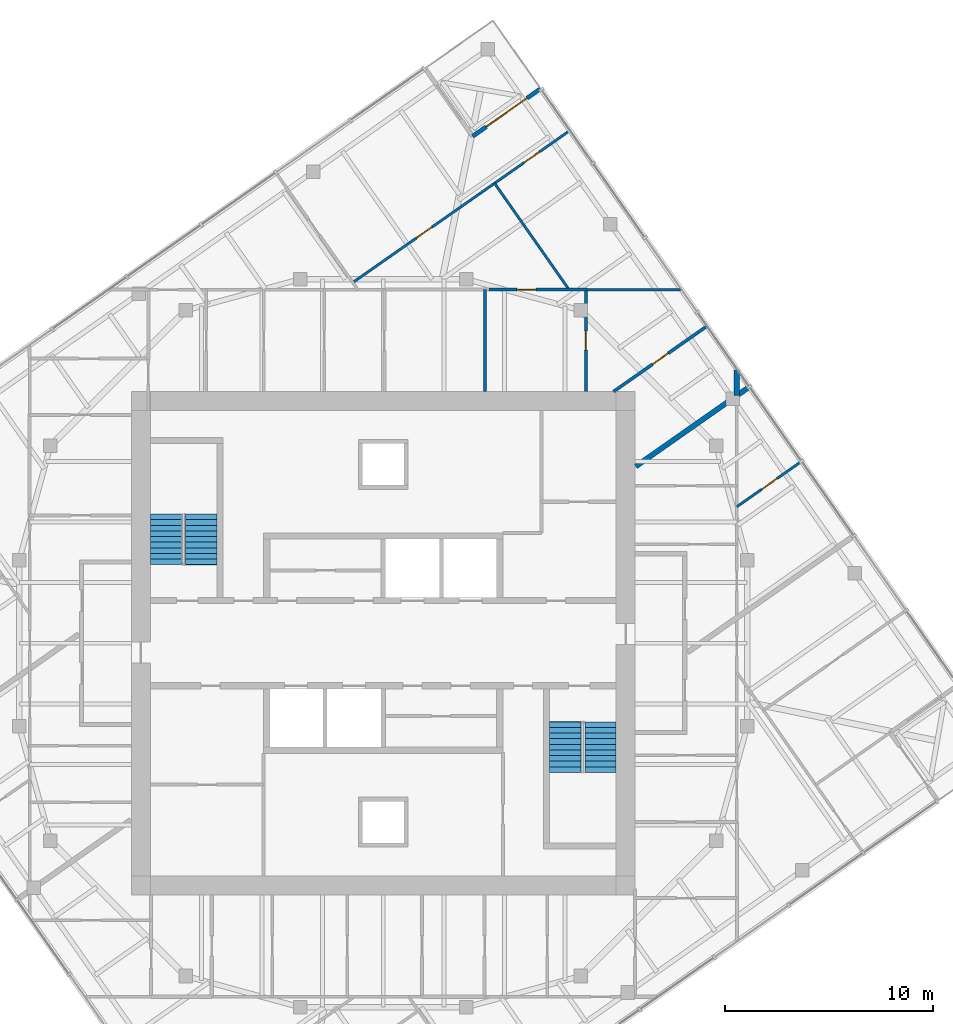
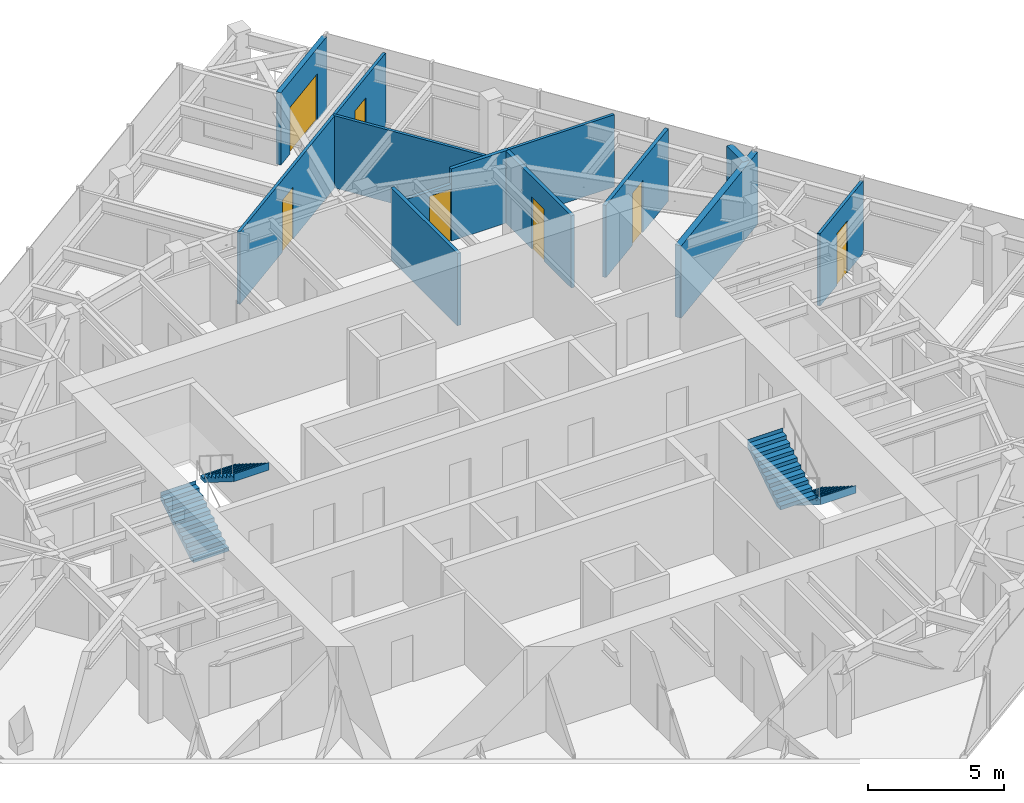
# One storey, part 11 of 12: 12 walls, 7 doors, 4 stair flights, 7 openings, 2 elements without a shape of their own.
"""IFC4 building model written with IfcOpenShell, lengths in metres."""

from ifc_helpers import new_model, si_unit, direction, frame, frame_2d, origin, place, context, subcontext, project, spatial, polyline, rectangle, outline, extrude, material, layer, layer_set, type_object, element, fill, aggregate, save


model = new_model("IFC4")

# Units and contexts
model_context = context("Model", 3, precision=1e-05, world=origin(), true_north=direction((0.0, 1.0)))
body_context = subcontext(model_context, "Body", "Model", "MODEL_VIEW")
ifc_project = project(units=[si_unit("LENGTHUNIT", "METRE"), si_unit("AREAUNIT", "SQUARE_METRE"), si_unit("VOLUMEUNIT", "CUBIC_METRE"), si_unit("PLANEANGLEUNIT", "RADIAN"), si_unit("MASSUNIT", "GRAM", prefix="KILO")], contexts=[model_context])

# Site, building, storey
site_placement = place(None, origin())
site = spatial("IfcSite", under=ifc_project, at=site_placement, CompositionType="ELEMENT")
building_placement = place(site_placement, origin())
building = spatial("IfcBuilding", under=site, at=building_placement, Name="Torsade Residences", CompositionType="ELEMENT")
storey_placement = place(building_placement, frame((0.0, 0.0, 243.800048828125)))
storey = spatial("IfcBuildingStorey", under=building, at=storey_placement, Name="L67", CompositionType="ELEMENT", Elevation=243.800048828125)

# Wall, opening, door
ifc_material_1 = material(Name="Plasterboard on steel stud", Category="steel")
ifc_layer_1 = layer(ifc_material_1, 0.1201171875)
ifc_layer_set_1 = layer_set([ifc_layer_1], Name="Plasterboard on steel stud")
wall_type_1 = type_object("IfcWallType", Name="PARTITION 120", PredefinedType="PARTITIONING", material=ifc_layer_set_1)
wall_1_placement = place(storey_placement, frame((57.0, 36.5625, 0.0), z_axis=(0.0, 0.0, 1.0), x_axis=(0.819140645834, 0.573592714688, 0.0)))
wall_1 = element("IfcWall", 1, at=wall_1_placement, inside=storey, type_object=wall_type_1, Name="Partition L67", PredefinedType="PARTITIONING", context=body_context, shape_type="SweptSolid", body=[
    extrude(rectangle(XDim=3.770263671875, YDim=0.1201171875, at=frame_2d((1.88525390625, 0.0))), origin(), (0.0, 0.0, 1.0), 3.25),
])
opening_1_placement = place(wall_1_placement, frame((1.445068359375, 0.0, 0.0)))
opening_1 = element("IfcOpeningElement", 2, at=opening_1_placement, cuts=wall_1, Name="Opening D02", PredefinedType="OPENING", context=body_context, shape_type="SweptSolid", body=[
    extrude(rectangle(XDim=0.919921875, YDim=2.340087890625, at=frame_2d((0.4599609375, 1.169921875))), frame((0.0, 0.070068359375, 0.0), z_axis=(0.0, -1.0, 0.0), x_axis=(1.0, 0.0, 0.0)), (0.0, 0.0, 1.0), 0.14013671875),
])
ifc_material_2 = material(Name="Hollow-core timber door", Category="wood")
door_type_1 = type_object("IfcDoorType", Name="INTERNAL DOOR 920x2340", OperationType="NOTDEFINED", PredefinedType="DOOR", material=ifc_material_2)
door_1_placement = place(opening_1_placement, origin())
door_1 = element("IfcDoor", 3, at=door_1_placement, inside=storey, type_object=door_type_1, Name="Door Living room to Bedroom 1", OperationType="SINGLE_SWING_LEFT", OverallHeight=2.340087890625, OverallWidth=0.919921875, PredefinedType="DOOR", context=body_context, shape_type="SweptSolid", body=[
    extrude(rectangle(XDim=0.919921875, YDim=2.340087890625, at=frame_2d((0.4599609375, 1.169921875))), frame((0.0, 0.02490234375, 0.0), z_axis=(0.0, -1.0, 0.0), x_axis=(1.0, 0.0, 0.0)), (0.0, 0.0, 1.0), 0.050048828125),
])
fill(opening_1, door_1)

# Wall
wall_2_placement = place(storey_placement, frame((49.7919921875, 47.0, 0.0), z_axis=(0.0, 0.0, 1.0), x_axis=(1.0, 0.0, 0.0)))
element("IfcWall", 4, at=wall_2_placement, inside=storey, type_object=wall_type_1, Name="Partition L67", PredefinedType="PARTITIONING", context=body_context, shape_type="SweptSolid", body=[
    extrude(rectangle(XDim=4.502197265625, YDim=0.1201171875, at=frame_2d((2.2509765625, 0.0))), origin(), (0.0, 0.0, 1.0), 3.25),
])

# Wall, openings, doors
wall_3_placement = place(storey_placement, frame((48.949462890625, 54.63330078125, 0.0), z_axis=(0.0, 0.0, 1.0), x_axis=(-0.819155207289, -0.573571919092, 0.0)))
wall_3 = element("IfcWall", 5, at=wall_3_placement, inside=storey, type_object=wall_type_1, Name="Partition L67", PredefinedType="PARTITIONING", context=body_context, shape_type="SweptSolid", body=[
    extrude(rectangle(XDim=12.7099609375, YDim=0.1201171875, at=frame_2d((6.35498046875, 0.0))), origin(), (0.0, 0.0, 1.0), 3.25),
])
opening_2_placement = place(wall_3_placement, frame((8.066162109375, 0.0, 0.0)))
opening_2 = element("IfcOpeningElement", 6, at=opening_2_placement, cuts=wall_3, Name="Opening D02", PredefinedType="OPENING", context=body_context, shape_type="SweptSolid", body=[
    extrude(rectangle(XDim=0.919921875, YDim=2.340087890625, at=frame_2d((0.4599609375, 1.169921875))), frame((0.0, 0.070068359375, 0.0), z_axis=(0.0, -1.0, 0.0), x_axis=(1.0, 0.0, 0.0)), (0.0, 0.0, 1.0), 0.14013671875),
])
opening_3_placement = place(wall_3_placement, frame((1.7412109375, 0.0, 0.0)))
opening_3 = element("IfcOpeningElement", 7, at=opening_3_placement, cuts=wall_3, Name="Opening D02", PredefinedType="OPENING", context=body_context, shape_type="SweptSolid", body=[
    extrude(rectangle(XDim=0.919921875, YDim=2.340087890625, at=frame_2d((0.4599609375, 1.169921875))), frame((0.0, 0.070068359375, 0.0), z_axis=(0.0, -1.0, 0.0), x_axis=(1.0, 0.0, 0.0)), (0.0, 0.0, 1.0), 0.14013671875),
])
door_2_placement = place(opening_2_placement, origin())
door_2 = element("IfcDoor", 8, at=door_2_placement, inside=storey, type_object=door_type_1, Name="Door Living room to Walk-in robe", OperationType="SINGLE_SWING_LEFT", OverallHeight=2.340087890625, OverallWidth=0.919921875, PredefinedType="DOOR", context=body_context, shape_type="SweptSolid", body=[
    extrude(rectangle(XDim=0.919921875, YDim=2.340087890625, at=frame_2d((0.4599609375, 1.169921875))), frame((0.0, 0.02490234375, 0.0), z_axis=(0.0, -1.0, 0.0), x_axis=(1.0, 0.0, 0.0)), (0.0, 0.0, 1.0), 0.050048828125),
])
fill(opening_2, door_2)
door_3_placement = place(opening_3_placement, origin())
door_3 = element("IfcDoor", 9, at=door_3_placement, inside=storey, type_object=door_type_1, Name="Door Living room to Bedroom 4", OperationType="SINGLE_SWING_RIGHT", OverallHeight=2.340087890625, OverallWidth=0.919921875, PredefinedType="DOOR", context=body_context, shape_type="SweptSolid", body=[
    extrude(rectangle(XDim=0.919921875, YDim=2.340087890625, at=frame_2d((0.4599609375, 1.169921875))), frame((0.0, 0.02490234375, 0.0), z_axis=(0.0, -1.0, 0.0), x_axis=(1.0, 0.0, 0.0)), (0.0, 0.0, 1.0), 0.050048828125),
])
fill(opening_3, door_3)

# Walls
wall_4_placement = place(storey_placement, frame((48.932373046875, 47.0, 0.0), z_axis=(0.0, 0.0, 1.0), x_axis=(-0.573569946952, 0.819156588177, 0.0)))
element("IfcWall", 10, at=wall_4_placement, inside=storey, type_object=wall_type_1, Name="Partition L67", PredefinedType="PARTITIONING", context=body_context, shape_type="SweptSolid", body=[
    extrude(rectangle(XDim=6.242919921875, YDim=0.1201171875, at=frame_2d((3.12158203125, 0.0))), origin(), (0.0, 0.0, 1.0), 3.25),
])
ifc_material_3 = material(Name="Masonry-lined stud party wall", Category="masonry")
ifc_layer_2 = layer(ifc_material_3, 0.25)
ifc_layer_set_2 = layer_set([ifc_layer_2], Name="Masonry-lined stud party wall")
wall_type_2 = type_object("IfcWallType", Name="PARTY WALL 250", PredefinedType="PARTITIONING", material=ifc_layer_set_2)
wall_5_placement = place(storey_placement, frame((57.61181640625, 42.331787109375, 0.0), z_axis=(0.0, 0.0, 1.0), x_axis=(-0.819161528122, -0.573562891796, 0.0)))
element("IfcWall", 11, at=wall_5_placement, inside=storey, type_object=wall_type_2, Name="Party wall L67", PredefinedType="PARTITIONING", context=body_context, shape_type="SweptSolid", body=[
    extrude(rectangle(XDim=6.68115234375, YDim=0.25, at=frame_2d((3.340576171875, 0.0))), origin(), (0.0, 0.0, 1.0), 3.25),
])
wall_6_placement = place(storey_placement, frame((57.0, 41.919189453125, 0.0), z_axis=(0.0, 0.0, 1.0), x_axis=(0.0, 1.0, 0.0)))
element("IfcWall", 12, at=wall_6_placement, inside=storey, type_object=wall_type_2, Name="Party wall L67", PredefinedType="PARTITIONING", context=body_context, shape_type="SweptSolid", body=[
    extrude(rectangle(XDim=1.216552734375, YDim=0.25, at=frame_2d((0.6083984375, 0.0))), origin(), (0.0, 0.0, 1.0), 3.25),
])

# Wall, opening, door
ifc_material_4 = material(Name="Reinforced blockwork", Category="masonry")
ifc_layer_3 = layer(ifc_material_4, 0.14990234375)
ifc_layer_set_3 = layer_set([ifc_layer_3], Name="Reinforced blockwork")
wall_type_3 = type_object("IfcWallType", Name="SERVICE ROOM WALL 150", PredefinedType="SOLIDWALL", material=ifc_layer_set_3)
wall_7_placement = place(storey_placement, frame((45.083251953125, 47.0, 0.0), z_axis=(0.0, 0.0, 1.0), x_axis=(1.0, 0.0, 0.0)))
wall_7 = element("IfcWall", 13, at=wall_7_placement, inside=storey, type_object=wall_type_3, Name="Service room wall L67", PredefinedType="SOLIDWALL", context=body_context, shape_type="SweptSolid", body=[
    extrude(rectangle(XDim=2.266845703125, YDim=0.14990234375, at=frame_2d((1.13330078125, 0.0))), origin(), (0.0, 0.0, 1.0), 2.550048828125),
])
opening_4_placement = place(wall_7_placement, frame((1.346923828125, 0.0, 0.0)))
opening_4 = element("IfcOpeningElement", 14, at=opening_4_placement, cuts=wall_7, Name="Opening D02", PredefinedType="OPENING", context=body_context, shape_type="SweptSolid", body=[
    extrude(rectangle(XDim=0.919921875, YDim=2.340087890625, at=frame_2d((0.4599609375, 1.169921875))), frame((0.0, 0.0849609375, 0.0), z_axis=(0.0, -1.0, 0.0), x_axis=(1.0, 0.0, 0.0)), (0.0, 0.0, 1.0), 0.169921875),
])
door_4_placement = place(opening_4_placement, origin())
door_4 = element("IfcDoor", 15, at=door_4_placement, inside=storey, type_object=door_type_1, Name="Door Walk-in robe to Linen store 5", OperationType="SINGLE_SWING_RIGHT", OverallHeight=2.340087890625, OverallWidth=0.919921875, PredefinedType="DOOR", context=body_context, shape_type="SweptSolid", body=[
    extrude(rectangle(XDim=0.919921875, YDim=2.340087890625, at=frame_2d((0.4599609375, 1.169921875))), frame((0.0, 0.02490234375, 0.0), z_axis=(0.0, -1.0, 0.0), x_axis=(1.0, 0.0, 0.0)), (0.0, 0.0, 1.0), 0.050048828125),
])
fill(opening_4, door_4)

# Walls
wall_8_placement = place(storey_placement, frame((47.35009765625, 47.0, 0.0), z_axis=(0.0, 0.0, 1.0), x_axis=(1.0, 0.0, 0.0)))
element("IfcWall", 16, at=wall_8_placement, inside=storey, type_object=wall_type_3, Name="Service room wall L67", PredefinedType="SOLIDWALL", context=body_context, shape_type="SweptSolid", body=[
    extrude(rectangle(XDim=2.44189453125, YDim=0.14990234375, at=frame_2d((1.220947265625, 0.0))), origin(), (0.0, 0.0, 1.0), 3.25),
])
wall_9_placement = place(storey_placement, frame((44.898193359375, 47.0, 0.0), z_axis=(0.0, 0.0, 1.0), x_axis=(0.0, -1.0, 0.0)))
element("IfcWall", 17, at=wall_9_placement, inside=storey, type_object=wall_type_3, Name="Service room wall L67", PredefinedType="SOLIDWALL", context=body_context, shape_type="SweptSolid", body=[
    extrude(rectangle(XDim=4.89990234375, YDim=0.14990234375, at=frame_2d((2.449951171875, 0.0))), origin(), (0.0, 0.0, 1.0), 3.25),
])

# Wall, opening, door
wall_10_placement = place(storey_placement, frame((55.53662109375, 45.225830078125, 0.0), z_axis=(0.0, 0.0, 1.0), x_axis=(-0.819158250207, -0.573567573279, 0.0)))
wall_10 = element("IfcWall", 18, at=wall_10_placement, inside=storey, type_object=wall_type_3, Name="Service room wall L67", PredefinedType="SOLIDWALL", context=body_context, shape_type="SweptSolid", body=[
    extrude(rectangle(XDim=5.44970703125, YDim=0.14990234375, at=frame_2d((2.724853515625, 0.0))), origin(), (0.0, 0.0, 1.0), 3.25),
])
opening_5_placement = place(wall_10_placement, frame((2.244873046875, 0.0, 0.0)))
opening_5 = element("IfcOpeningElement", 19, at=opening_5_placement, cuts=wall_10, Name="Opening D02", PredefinedType="OPENING", context=body_context, shape_type="SweptSolid", body=[
    extrude(rectangle(XDim=0.919921875, YDim=2.340087890625, at=frame_2d((0.4599609375, 1.169921875))), frame((0.0, 0.0849609375, 0.0), z_axis=(0.0, -1.0, 0.0), x_axis=(1.0, 0.0, 0.0)), (0.0, 0.0, 1.0), 0.169921875),
])
door_5_placement = place(opening_5_placement, origin())
door_5 = element("IfcDoor", 20, at=door_5_placement, inside=storey, type_object=door_type_1, Name="Door Study to Linen store 3", OperationType="SINGLE_SWING_RIGHT", OverallHeight=2.340087890625, OverallWidth=0.919921875, PredefinedType="DOOR", context=body_context, shape_type="SweptSolid", body=[
    extrude(rectangle(XDim=0.919921875, YDim=2.340087890625, at=frame_2d((0.4599609375, 1.169921875))), frame((0.0, 0.02490234375, 0.0), z_axis=(0.0, -1.0, 0.0), x_axis=(1.0, 0.0, 0.0)), (0.0, 0.0, 1.0), 0.050048828125),
])
fill(opening_5, door_5)

wall_11_placement = place(storey_placement, frame((49.7421875, 42.10009765625, 0.0), z_axis=(0.0, 0.0, 1.0), x_axis=(0.0, 1.0, 0.0)))
wall_11 = element("IfcWall", 21, at=wall_11_placement, inside=storey, type_object=wall_type_3, Name="Service room wall L67", PredefinedType="SOLIDWALL", context=body_context, shape_type="SweptSolid", body=[
    extrude(rectangle(XDim=4.89990234375, YDim=0.14990234375, at=frame_2d((2.449951171875, 0.0))), origin(), (0.0, 0.0, 1.0), 3.25),
])
opening_6_placement = place(wall_11_placement, frame((1.989990234375, 0.0, 0.0)))
opening_6 = element("IfcOpeningElement", 22, at=opening_6_placement, cuts=wall_11, Name="Opening D02", PredefinedType="OPENING", context=body_context, shape_type="SweptSolid", body=[
    extrude(rectangle(XDim=0.919921875, YDim=2.340087890625, at=frame_2d((0.4599609375, 1.169921875))), frame((0.0, 0.0849609375, 0.0), z_axis=(0.0, -1.0, 0.0), x_axis=(1.0, 0.0, 0.0)), (0.0, 0.0, 1.0), 0.169921875),
])
door_6_placement = place(opening_6_placement, origin())
door_6 = element("IfcDoor", 23, at=door_6_placement, inside=storey, type_object=door_type_1, Name="Door Linen store 5 to Study", OperationType="SINGLE_SWING_RIGHT", OverallHeight=2.340087890625, OverallWidth=0.919921875, PredefinedType="DOOR", context=body_context, shape_type="SweptSolid", body=[
    extrude(rectangle(XDim=0.919921875, YDim=2.340087890625, at=frame_2d((0.4599609375, 1.169921875))), frame((0.0, 0.02490234375, 0.0), z_axis=(0.0, -1.0, 0.0), x_axis=(1.0, 0.0, 0.0)), (0.0, 0.0, 1.0), 0.050048828125),
])
fill(opening_6, door_6)

ifc_material_5 = material(Name="Stone-faced precast concrete 40 MPa panel", Category="masonry")
ifc_layer_4 = layer(ifc_material_5, 0.199951171875)
ifc_layer_set_4 = layer_set([ifc_layer_4], Name="Stone-faced precast concrete 40 MPa panel")
wall_type_4 = type_object("IfcWallType", Name="TERRACE WALL 200", PredefinedType="SOLIDWALL", material=ifc_layer_set_4)
wall_12_placement = place(storey_placement, frame((47.57421875, 56.6669921875, 0.0), z_axis=(0.0, 0.0, 1.0), x_axis=(-0.819165963305, -0.573556557423, 0.0)))
wall_12 = element("IfcWall", 24, at=wall_12_placement, inside=storey, type_object=wall_type_4, Name="Terrace wall L67 5", PredefinedType="SOLIDWALL", context=body_context, shape_type="SweptSolid", body=[
    extrude(rectangle(XDim=4.0, YDim=0.199951171875, at=frame_2d((2.0, 0.0))), origin(), (0.0, 0.0, 1.0), 3.25),
])
opening_7_placement = place(wall_12_placement, frame((0.800048828125, 0.0, 0.0)))
opening_7 = element("IfcOpeningElement", 25, at=opening_7_placement, cuts=wall_12, Name="Opening D10A", PredefinedType="OPENING", context=body_context, shape_type="SweptSolid", body=[
    extrude(rectangle(XDim=2.39990234375, YDim=2.10009765625, at=frame_2d((1.199951171875, 1.050048828125))), frame((0.0, 0.10986328125, 0.0), z_axis=(0.0, -1.0, 0.0), x_axis=(1.0, 0.0, 0.0)), (0.0, 0.0, 1.0), 0.219970703125),
])
ifc_material_6 = material(Name="Aluminium-framed glass door", Category="aluminium")
door_type_2 = type_object("IfcDoorType", Name="TERRACE SLIDING DOOR 2400x2100", OperationType="SLIDING_TO_LEFT", PredefinedType="DOOR", material=ifc_material_6)
door_7_placement = place(opening_7_placement, origin())
door_7 = element("IfcDoor", 26, at=door_7_placement, inside=storey, type_object=door_type_2, Name="Terrace door L67 5", OperationType="SLIDING_TO_LEFT", OverallHeight=2.10009765625, OverallWidth=2.39990234375, PredefinedType="DOOR", context=body_context, shape_type="SweptSolid", body=[
    extrude(rectangle(XDim=2.39990234375, YDim=2.10009765625, at=frame_2d((1.199951171875, 1.050048828125))), frame((0.0, 0.02490234375, 0.0), z_axis=(0.0, -1.0, 0.0), x_axis=(1.0, 0.0, 0.0)), (0.0, 0.0, 1.0), 0.050048828125),
])
fill(opening_7, door_7)

# Stair, stair flights
ifc_material_7 = material(Name="Precast concrete 40 MPa", Category="concrete")
stair_type = type_object("IfcStairType", Name="HALF-TURN FIRE STAIR 1500x3400", PredefinedType="HALF_TURN_STAIR", material=ifc_material_7)
stair_1_placement = place(storey_placement, origin())
stair_1 = element("IfcStair", 27, at=stair_1_placement, inside=storey, type_object=stair_type, Name="Stair ST1 L67", PredefinedType="HALF_TURN_STAIR")
ifc_material_8 = material(Name="Precast concrete 40 MPa", Category="concrete")
stair_flight_type = type_object("IfcStairFlightType", Name="PRECAST STAIR FLIGHT 1500x1700", PredefinedType="STRAIGHT", material=ifc_material_8)
stair_flight_1_placement = place(storey_placement, frame((29.550048828125, 33.780029296875, 0.0), z_axis=(0.0, 0.0, 1.0), x_axis=(0.0, 1.0, 0.0)))
stair_flight_1 = element("IfcStairFlight", 28, at=stair_flight_1_placement, type_object=stair_flight_type, Name="ST1 flight 1", NumberOfRisers=10, NumberOfTreads=9, PredefinedType="STRAIGHT", RiserHeight=0.17, TreadLength=0.27, context=body_context, shape_type="SweptSolid", body=[
    extrude(outline(polyline([(0.0, 0.0), (0.0, 0.169921875), (0.27001953125, 0.169921875), (0.27001953125, 0.340087890625), (0.5400390625, 0.340087890625), (0.5400390625, 0.510009765625), (0.81005859375, 0.510009765625), (0.81005859375, 0.679931640625), (1.080078125, 0.679931640625), (1.080078125, 0.85009765625), (1.35009765625, 0.85009765625), (1.35009765625, 1.02001953125), (1.6201171875, 1.02001953125), (1.6201171875, 1.18994140625), (1.889892578125, 1.18994140625), (1.889892578125, 1.360107421875), (2.159912109375, 1.360107421875), (2.159912109375, 1.530029296875), (2.429931640625, 1.530029296875), (2.429931640625, 1.699951171875), (2.43994140625, 1.699951171875), (2.43994140625, 1.352783203125), (2.429931640625, 1.352783203125), (0.28125, 0.0), (0.0, 0.0)])), frame((0.0, 0.75, 0.0), z_axis=(0.0, -1.0, 0.0), x_axis=(1.0, 0.0, 0.0)), (0.0, 0.0, 1.0), 1.5),
])
stair_flight_2_placement = place(storey_placement, frame((31.25, 36.2099609375, 1.699951171875), z_axis=(0.0, 0.0, 1.0), x_axis=(0.0, -1.0, 0.0)))
stair_flight_2 = element("IfcStairFlight", 29, at=stair_flight_2_placement, type_object=stair_flight_type, Name="ST1 flight 2", NumberOfRisers=10, NumberOfTreads=9, PredefinedType="STRAIGHT", RiserHeight=0.17, TreadLength=0.27, context=body_context, shape_type="SweptSolid", body=[
    extrude(outline(polyline([(0.0, 0.0), (0.0, 0.169921875), (0.27001953125, 0.169921875), (0.27001953125, 0.340087890625), (0.5400390625, 0.340087890625), (0.5400390625, 0.510009765625), (0.81005859375, 0.510009765625), (0.81005859375, 0.679931640625), (1.080078125, 0.679931640625), (1.080078125, 0.85009765625), (1.35009765625, 0.85009765625), (1.35009765625, 1.02001953125), (1.6201171875, 1.02001953125), (1.6201171875, 1.18994140625), (1.889892578125, 1.18994140625), (1.889892578125, 1.360107421875), (2.159912109375, 1.360107421875), (2.159912109375, 1.530029296875), (2.429931640625, 1.530029296875), (2.429931640625, 1.699951171875), (2.43994140625, 1.699951171875), (2.43994140625, 1.352783203125), (2.429931640625, 1.352783203125), (0.28125, 0.0), (0.0, 0.0)])), frame((0.0, 0.75, 0.0), z_axis=(0.0, -1.0, 0.0), x_axis=(1.0, 0.0, 0.0)), (0.0, 0.0, 1.0), 1.5),
])
aggregate(stair_1, [stair_flight_1, stair_flight_2])

stair_2_placement = place(storey_placement, origin())
stair_2 = element("IfcStair", 30, at=stair_2_placement, inside=storey, type_object=stair_type, Name="Stair ST2 L67", PredefinedType="HALF_TURN_STAIR")
stair_flight_3_placement = place(storey_placement, frame((50.449951171875, 26.219970703125, 0.0), z_axis=(0.0, 0.0, 1.0), x_axis=(0.0, -1.0, 0.0)))
stair_flight_3 = element("IfcStairFlight", 31, at=stair_flight_3_placement, type_object=stair_flight_type, Name="ST2 flight 1", NumberOfRisers=10, NumberOfTreads=9, PredefinedType="STRAIGHT", RiserHeight=0.17, TreadLength=0.27, context=body_context, shape_type="SweptSolid", body=[
    extrude(outline(polyline([(0.0, 0.0), (0.0, 0.169921875), (0.27001953125, 0.169921875), (0.27001953125, 0.340087890625), (0.5400390625, 0.340087890625), (0.5400390625, 0.510009765625), (0.81005859375, 0.510009765625), (0.81005859375, 0.679931640625), (1.080078125, 0.679931640625), (1.080078125, 0.85009765625), (1.35009765625, 0.85009765625), (1.35009765625, 1.02001953125), (1.6201171875, 1.02001953125), (1.6201171875, 1.18994140625), (1.889892578125, 1.18994140625), (1.889892578125, 1.360107421875), (2.159912109375, 1.360107421875), (2.159912109375, 1.530029296875), (2.429931640625, 1.530029296875), (2.429931640625, 1.699951171875), (2.43994140625, 1.699951171875), (2.43994140625, 1.352783203125), (2.429931640625, 1.352783203125), (0.28125, 0.0), (0.0, 0.0)])), frame((0.0, 0.75, 0.0), z_axis=(0.0, -1.0, 0.0), x_axis=(1.0, 0.0, 0.0)), (0.0, 0.0, 1.0), 1.5),
])
stair_flight_4_placement = place(storey_placement, frame((48.75, 23.7900390625, 1.699951171875), z_axis=(0.0, 0.0, 1.0), x_axis=(0.0, 1.0, 0.0)))
stair_flight_4 = element("IfcStairFlight", 32, at=stair_flight_4_placement, type_object=stair_flight_type, Name="ST2 flight 2", NumberOfRisers=10, NumberOfTreads=9, PredefinedType="STRAIGHT", RiserHeight=0.17, TreadLength=0.27, context=body_context, shape_type="SweptSolid", body=[
    extrude(outline(polyline([(0.0, 0.0), (0.0, 0.169921875), (0.27001953125, 0.169921875), (0.27001953125, 0.340087890625), (0.5400390625, 0.340087890625), (0.5400390625, 0.510009765625), (0.81005859375, 0.510009765625), (0.81005859375, 0.679931640625), (1.080078125, 0.679931640625), (1.080078125, 0.85009765625), (1.35009765625, 0.85009765625), (1.35009765625, 1.02001953125), (1.6201171875, 1.02001953125), (1.6201171875, 1.18994140625), (1.889892578125, 1.18994140625), (1.889892578125, 1.360107421875), (2.159912109375, 1.360107421875), (2.159912109375, 1.530029296875), (2.429931640625, 1.530029296875), (2.429931640625, 1.699951171875), (2.43994140625, 1.699951171875), (2.43994140625, 1.352783203125), (2.429931640625, 1.352783203125), (0.28125, 0.0), (0.0, 0.0)])), frame((0.0, 0.75, 0.0), z_axis=(0.0, -1.0, 0.0), x_axis=(1.0, 0.0, 0.0)), (0.0, 0.0, 1.0), 1.5),
])
aggregate(stair_2, [stair_flight_3, stair_flight_4])

save(model, "model.ifc")
